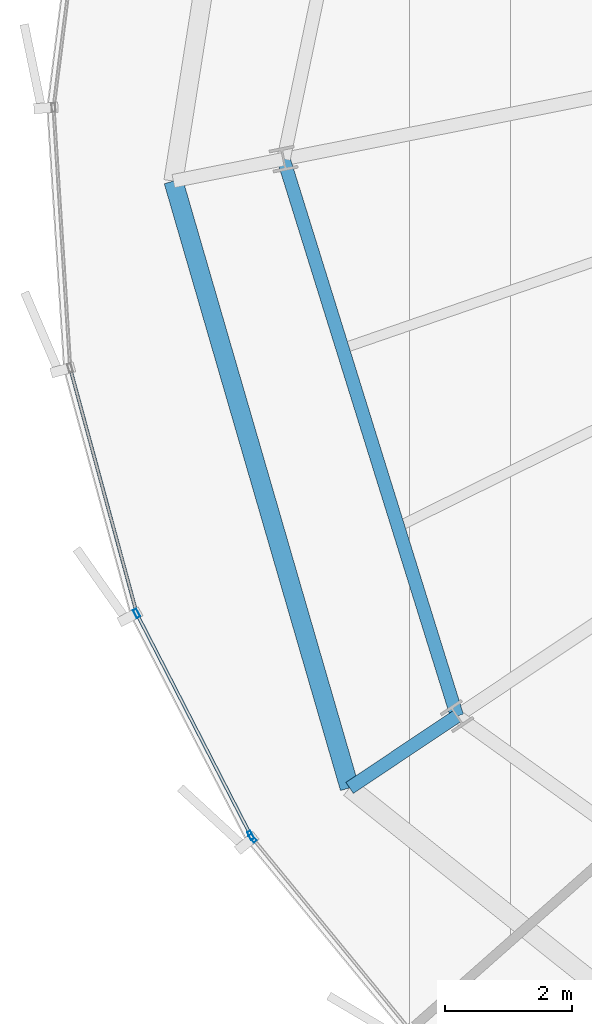
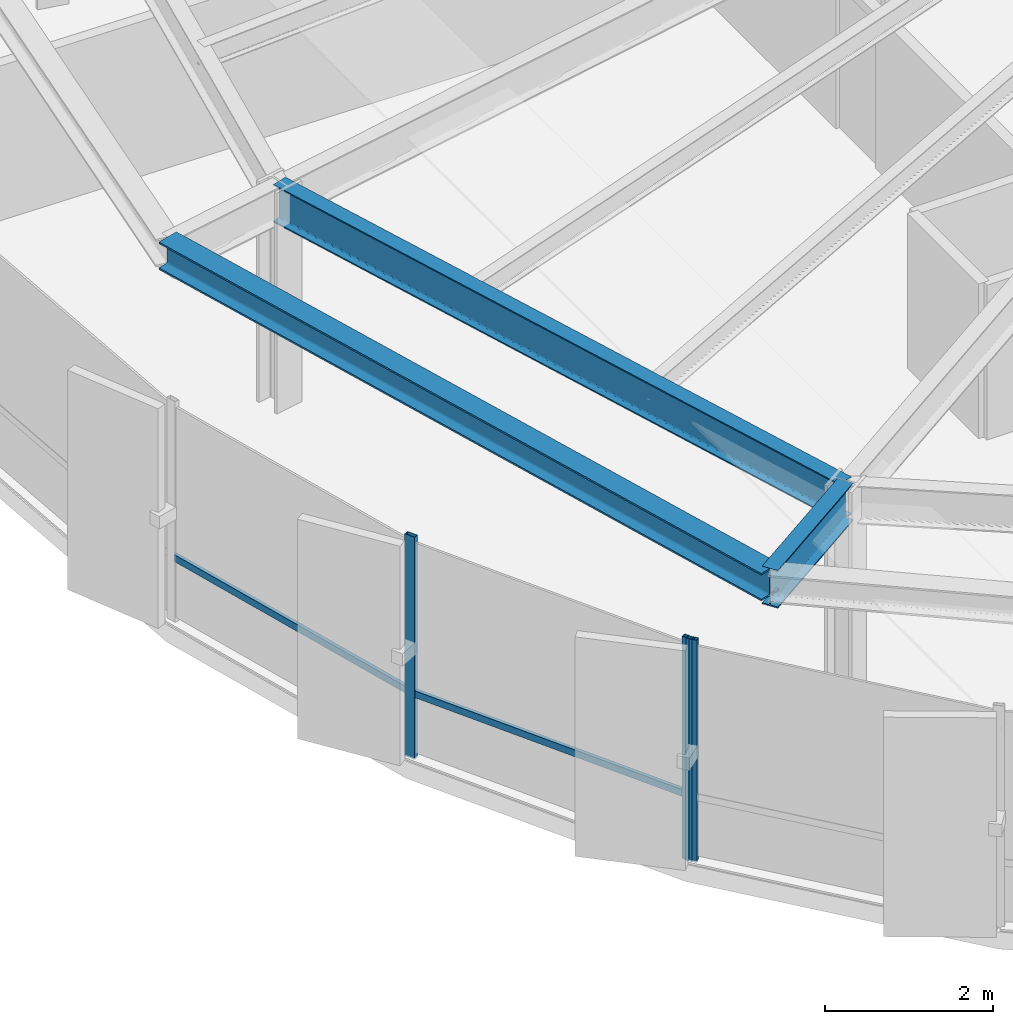
# One storey, part 4 of 35: 5 members, 3 beams, 2 elements without a shape of their own.
"""IFC4 building model written with IfcOpenShell, lengths in metres."""

import ifcopenshell
import ifcopenshell.guid

model = None  # the IFC model being written
_history = None  # IfcOwnerHistory: only IFC2X3 demands one
_inside = {}  # id of a spatial element -> (the spatial element, [elements in it])
_under = {}  # id of a project, library or spatial element -> (it, [spatial elements below it])
_declared = {}  # id of a project -> (the project, [libraries it declares])
_typed = {}  # id of a type object -> (the type object, [elements of that type])
_made_of = {}  # id of a material, layer set ... -> (it, [elements and type objects made of it])


def new_model(schema):
    """Start an empty IFC model of exactly this schema.

    Asked for "IFC4X3", IfcOpenShell would pick the latest addendum, in which some entities
    have other attributes; the version numbers below select the first issue.
    IFC2X3 requires an IfcOwnerHistory on every rooted entity: one is made here for all.
    """
    global model, _history
    if schema == "IFC4X3":
        model = ifcopenshell.file(schema_version=(4, 3, 0, 0))
    else:
        model = ifcopenshell.file(schema=schema)
    _inside.clear()
    _under.clear()
    _declared.clear()
    _typed.clear()
    _made_of.clear()
    _history = None
    if model.schema == "IFC2X3":
        org = make("IfcOrganization", Name="unknown")
        user = make(
            "IfcPersonAndOrganization",
            ThePerson=make("IfcPerson", FamilyName="unknown"),
            TheOrganization=org,
        )
        app = make(
            "IfcApplication",
            ApplicationDeveloper=org,
            Version="unknown",
            ApplicationFullName="unknown",
            ApplicationIdentifier="unknown",
        )
        _history = make(
            "IfcOwnerHistory",
            OwningUser=user,
            OwningApplication=app,
            ChangeAction="ADDED",
            CreationDate=0,
        )
    return model


def make(cls, **values):
    """One entity of the class cls with the attributes given. An attribute that is None is left unset."""
    return model.create_entity(
        cls, **{name: value for name, value in values.items() if value is not None}
    )


def rooted(cls, **values):
    """An entity with a GlobalId (a new one), such as an element, a storey or a relation."""
    return make(cls, GlobalId=ifcopenshell.guid.new(), OwnerHistory=_history, **values)


def si_unit(unit_type, name, prefix=None):
    """IfcSIUnit, for example si_unit("LENGTHUNIT", "METRE", prefix="MILLI")."""
    return make("IfcSIUnit", UnitType=unit_type, Prefix=prefix, Name=name)


def assignment(units):
    """IfcUnitAssignment: the units of a project."""
    return None if units is None else make("IfcUnitAssignment", Units=units)


def point(xyz):
    """IfcCartesianPoint."""
    return None if xyz is None else make("IfcCartesianPoint", Coordinates=xyz)


def direction(xyz):
    """IfcDirection."""
    return None if xyz is None else make("IfcDirection", DirectionRatios=xyz)


def frame(location, z_axis=None, x_axis=None):
    """IfcAxis2Placement3D, a coordinate frame: its origin and axes. An axis left out is left unset."""
    return make(
        "IfcAxis2Placement3D",
        Location=point(location),
        Axis=direction(z_axis),
        RefDirection=direction(x_axis),
    )


def frame_2d(location, x_axis=None):
    """IfcAxis2Placement2D, a coordinate frame in the plane: its origin and x axis."""
    return make(
        "IfcAxis2Placement2D", Location=point(location), RefDirection=direction(x_axis)
    )


def origin():
    """The frame at (0, 0, 0) with its axes left unset."""
    return frame((0.0, 0.0, 0.0))


def origin_2d():
    """The frame at (0, 0) in the plane with its x axis left unset."""
    return frame_2d((0.0, 0.0))


def place(relative_to, where):
    """IfcLocalPlacement: puts the frame where relative to a parent placement (None: the world)."""
    return make(
        "IfcLocalPlacement", PlacementRelTo=relative_to, RelativePlacement=where
    )


def context(
    kind, dimensions, precision=None, world=None, true_north=None, identifier=None
):
    """IfcGeometricRepresentationContext, for example the 3D "Model" context."""
    return make(
        "IfcGeometricRepresentationContext",
        ContextIdentifier=identifier,
        ContextType=kind,
        CoordinateSpaceDimension=dimensions,
        Precision=precision,
        WorldCoordinateSystem=world,
        TrueNorth=true_north,
    )


def subcontext(parent, identifier, kind, view, scale=None):
    """IfcGeometricRepresentationSubContext, for example "Body" below "Model"."""
    return make(
        "IfcGeometricRepresentationSubContext",
        ContextIdentifier=identifier,
        ContextType=kind,
        ParentContext=parent,
        TargetScale=scale,
        TargetView=view,
    )


def project(units=None, contexts=None):
    """IfcProject with its units and contexts."""
    return rooted(
        "IfcProject",
        Name="project",
        RepresentationContexts=contexts,
        UnitsInContext=assignment(units),
    )


def spatial(cls, under=None, at=None, **own):
    """A site, building, storey or space (cls), placed at a placement, below another one or the project."""
    s = rooted(cls, ObjectPlacement=at, **own)
    if under is not None:
        _under.setdefault(under.id(), (under, []))[1].append(s)
    return s


def profile(cls, at=None, kind="AREA", **sizes):
    """A parametric profile (cls). Its sizes go by their IFC names, for example OverallWidth=200.0."""
    return make(cls, ProfileType=kind, Position=at, **sizes)


def hollow_rectangle(**sizes):
    """IfcRectangleHollowProfileDef."""
    return profile("IfcRectangleHollowProfileDef", **sizes)


def i_section(**sizes):
    """IfcIShapeProfileDef."""
    return profile("IfcIShapeProfileDef", **sizes)


def extrude(swept, where, along, depth):
    """IfcExtrudedAreaSolid: the profile swept, set in the frame where, extruded along a direction by depth."""
    return make(
        "IfcExtrudedAreaSolid",
        SweptArea=swept,
        Position=where,
        ExtrudedDirection=direction(along),
        Depth=depth,
    )


def shape(context_of_items, identifier, shape_type, items):
    """IfcShapeRepresentation: the items that make up one representation, for example the "Body"."""
    return make(
        "IfcShapeRepresentation",
        ContextOfItems=context_of_items,
        RepresentationIdentifier=identifier,
        RepresentationType=shape_type,
        Items=items,
    )


def source(mapping_origin, context_of_items, identifier, shape_type, items):
    """IfcRepresentationMap: a shape defined once, which mapped items show again and again."""
    return make(
        "IfcRepresentationMap",
        MappingOrigin=mapping_origin,
        MappedRepresentation=shape(context_of_items, identifier, shape_type, items),
    )


def transform(
    local_origin,
    x_axis=None,
    y_axis=None,
    z_axis=None,
    scale=None,
    scale2=None,
    scale3=None,
    uniform=True,
):
    """IfcCartesianTransformationOperator3D, or its non-uniform kind. x_axis, y_axis, z_axis: its Axis1, 2, 3."""
    if uniform:
        return make(
            "IfcCartesianTransformationOperator3D",
            Axis1=direction(x_axis),
            Axis2=direction(y_axis),
            LocalOrigin=point(local_origin),
            Scale=scale,
            Axis3=direction(z_axis),
        )
    return make(
        "IfcCartesianTransformationOperator3DnonUniform",
        Axis1=direction(x_axis),
        Axis2=direction(y_axis),
        LocalOrigin=point(local_origin),
        Scale=scale,
        Axis3=direction(z_axis),
        Scale2=scale2,
        Scale3=scale3,
    )


def mapped(mapping_source, mapping_target):
    """IfcMappedItem: shows the shape of a source again, moved by a transform."""
    return make(
        "IfcMappedItem", MappingSource=mapping_source, MappingTarget=mapping_target
    )


def material(Name=None, Category=None):
    """IfcMaterial."""
    return make("IfcMaterial", Name=Name, Category=Category)


def layer(
    of_material, thickness, ventilated=None, Name=None, Category=None, Priority=None
):
    """IfcMaterialLayer: one layer of a wall or slab, of a material (None: an air gap)."""
    return make(
        "IfcMaterialLayer",
        Material=of_material,
        LayerThickness=thickness,
        IsVentilated=ventilated,
        Name=Name,
        Category=Category,
        Priority=Priority,
    )


def layer_set(layers, Name=None):
    """IfcMaterialLayerSet."""
    return make("IfcMaterialLayerSet", MaterialLayers=layers, LayerSetName=Name)


def material_profile(
    of_material, cross_section, Name=None, Category=None, Priority=None
):
    """IfcMaterialProfile: a cross section and its material."""
    return make(
        "IfcMaterialProfile",
        Name=Name,
        Material=of_material,
        Profile=cross_section,
        Priority=Priority,
        Category=Category,
    )


def profile_set(profiles, Name=None, composite=None):
    """IfcMaterialProfileSet."""
    return make(
        "IfcMaterialProfileSet",
        Name=Name,
        MaterialProfiles=profiles,
        CompositeProfile=composite,
    )


def made_of(thing, what):
    """Note that an element or type object is made of a material, layer set ...; save() writes the relation."""
    if what is not None:
        _made_of.setdefault(what.id(), (what, []))[1].append(thing)
    return thing


def type_object(cls, material=None, **own):
    """A type object (cls), such as IfcWallType, which elements share."""
    return made_of(rooted(cls, **own), material)


def element(
    cls,
    number,
    at=None,
    inside=None,
    cuts=None,
    type_object=None,
    material=None,
    context=None,
    identifier="Body",
    shape_type=None,
    held_by="IfcProductDefinitionShape",
    body=None,
    shapes=None,
    **own,
):
    """One element of the class cls, such as IfcWall. Its Tag is "e" and its number.

    at: its placement. inside: the storey or other place that contains it. cuts: it is an
    opening in that element (IfcRelVoidsElement). A single representation is given by context,
    identifier, shape_type and body (its items); several are given by shapes. held_by: the class
    of the entity that holds the representations. save() writes the other relations.
    """
    e = rooted(cls, Tag="e%d" % number, ObjectPlacement=at, **own)
    if body is not None:
        shapes = [shape(context, identifier, shape_type, body)]
    if shapes is not None:
        e.Representation = make(held_by, Representations=shapes)
    if inside is not None:
        _inside.setdefault(inside.id(), (inside, []))[1].append(e)
    if cuts is not None:
        rooted(
            "IfcRelVoidsElement", RelatingBuildingElement=cuts, RelatedOpeningElement=e
        )
    if type_object is not None:
        _typed.setdefault(type_object.id(), (type_object, []))[1].append(e)
    return made_of(e, material)


def aggregate(whole, parts):
    """IfcRelAggregates: a whole, such as a stair, and the parts it consists of."""
    return rooted("IfcRelAggregates", RelatingObject=whole, RelatedObjects=parts)


def save(model, path):
    """Write the relations noted so far, then the file.

    IfcRelAggregates (storeys below a building ...), IfcRelContainedInSpatialStructure (elements
    in a storey), IfcRelDefinesByType, IfcRelAssociatesMaterial and IfcRelDeclares: one each for
    every whole, place, type object, material and project.
    """
    for whole, parts in _under.values():
        aggregate(whole, parts)
    for where, things in _inside.values():
        rooted(
            "IfcRelContainedInSpatialStructure",
            RelatedElements=things,
            RelatingStructure=where,
        )
    for kind, things in _typed.values():
        rooted("IfcRelDefinesByType", RelatedObjects=things, RelatingType=kind)
    for what, things in _made_of.values():
        rooted("IfcRelAssociatesMaterial", RelatedObjects=things, RelatingMaterial=what)
    for by, libraries in _declared.values():
        rooted("IfcRelDeclares", RelatingContext=by, RelatedDefinitions=libraries)
    model.write(path)


model = new_model("IFC4")

# Units and contexts
model_context = context("Model", 3, precision=1e-05, world=origin(), true_north=direction((0.0, 1.0)))
body_context = subcontext(model_context, "Body", "Model", "MODEL_VIEW")
ifc_project = project(units=[si_unit("LENGTHUNIT", "METRE"), si_unit("AREAUNIT", "SQUARE_METRE"), si_unit("VOLUMEUNIT", "CUBIC_METRE"), si_unit("PLANEANGLEUNIT", "RADIAN"), si_unit("MASSUNIT", "GRAM", prefix="KILO"), si_unit("THERMODYNAMICTEMPERATUREUNIT", "KELVIN")], contexts=[model_context])

# Site, building, storey
site_placement = place(None, origin())
site = spatial("IfcSite", under=ifc_project, at=site_placement, CompositionType="ELEMENT")
building_placement = place(site_placement, origin())
building = spatial("IfcBuilding", under=site, at=building_placement, Name="Kethvar Cultural Tower", CompositionType="ELEMENT")
storey_placement = place(building_placement, frame((0.0, 0.0, 167.85009765625)))
storey = spatial("IfcBuildingStorey", under=building, at=storey_placement, Name="L43", CompositionType="ELEMENT", Elevation=167.85009765625)

# Beams
ifc_material_1 = material(Name="Steel S355J2", Category="steel")
ifc_material_profile_1 = material_profile(ifc_material_1, i_section(OverallWidth=0.2099609375, OverallDepth=0.550048828125, WebThickness=0.010986328125, FlangeThickness=0.01708984375, FilletRadius=0.02392578125, at=origin_2d()), Name="Steel S355J2 — IPE550")
ifc_profile_set_1 = profile_set([ifc_material_profile_1], Name="Steel S355J2 — IPE550")
beam_type_1 = type_object("IfcBeamType", Name="BM-IPE550", PredefinedType="BEAM", material=ifc_profile_set_1)
shared_shape_1 = source(origin(), body_context, "Body", "SweptSolid", [
    extrude(i_section(OverallWidth=0.2099609375, OverallDepth=0.550048828125, WebThickness=0.010986328125, FlangeThickness=0.01708984375, FilletRadius=0.02392578125, at=origin_2d()), origin(), (0.0, 0.0, 1.0), 9.20068359375),
])
beam_1_placement = place(storey_placement, frame((24.185302734375, 23.3017578125, 2.962890625), z_axis=(0.297298800285, -0.954784490526, 0.0), x_axis=(0.954784490526, 0.297298800285, 0.0)))
element("IfcBeam", 1, at=beam_1_placement, inside=storey, type_object=beam_type_1, Name="L43 Column Ring Tie Beam CR-09", PredefinedType="BEAM", context=body_context, shape_type="MappedRepresentation", body=[
    mapped(shared_shape_1, transform((0.0, 0.0, 0.0), scale=1.0)),
])
shared_shape_2 = source(origin(), body_context, "Body", "SweptSolid", [
    extrude(i_section(OverallWidth=0.2099609375, OverallDepth=0.550048828125, WebThickness=0.010986328125, FlangeThickness=0.01708984375, FilletRadius=0.02392578125, at=origin_2d()), origin(), (0.0, 0.0, 1.0), 2.0380859375),
])
beam_2_placement = place(storey_placement, frame((26.920654296875, 14.51708984375, 2.962890625), z_axis=(-0.831460090349, -0.555584483365, 0.0), x_axis=(0.555584483365, -0.831460090349, 0.0)))
element("IfcBeam", 2, at=beam_2_placement, inside=storey, type_object=beam_type_1, Name="L43 Perimeter Cantilever Beam RC-10", PredefinedType="BEAM", context=body_context, shape_type="MappedRepresentation", body=[
    mapped(shared_shape_2, transform((0.0, 0.0, 0.0), scale=1.0)),
])
ifc_material_profile_2 = material_profile(ifc_material_1, i_section(OverallWidth=0.300048828125, OverallDepth=0.39990234375, WebThickness=0.013427734375, FlangeThickness=0.02392578125, FilletRadius=0.027099609375, at=origin_2d()), Name="Steel S355J2 — HEB400")
ifc_profile_set_2 = profile_set([ifc_material_profile_2], Name="Steel S355J2 — HEB400")
beam_type_2 = type_object("IfcBeamType", Name="BM-SP400", PredefinedType="SPANDREL", material=ifc_profile_set_2)
shared_shape_3 = source(origin(), body_context, "Body", "SweptSolid", [
    extrude(i_section(OverallWidth=0.300048828125, OverallDepth=0.39990234375, WebThickness=0.013427734375, FlangeThickness=0.02392578125, FilletRadius=0.027099609375, at=origin_2d()), origin(), (0.0, 0.0, 1.0), 9.96630859375),
])
beam_3_placement = place(storey_placement, frame((22.447021484375, 22.955810546875, 3.037841796875), z_axis=(0.278843718702, -0.960336493392, 0.0), x_axis=(0.960336493392, 0.278843718702, 0.0)))
element("IfcBeam", 3, at=beam_3_placement, inside=storey, type_object=beam_type_2, Name="L43 Perimeter Spandrel Beam SP-09", PredefinedType="SPANDREL", context=body_context, shape_type="MappedRepresentation", body=[
    mapped(shared_shape_3, transform((0.0, 0.0, 0.0), scale=1.0)),
])

# Curtain wall, members
ifc_material_2 = material(Name="Aluminium 6063-T6", Category="aluminium")
ifc_layer = layer(ifc_material_2, 0.179931640625, Name="Aluminium 6063-T6", Category="aluminium")
ifc_layer_set = layer_set([ifc_layer], Name="Aluminium 6063-T6 (180 mm)")
curtain_wall_type = type_object("IfcCurtainWallType", Name="CW-SYS-04-Z34", PredefinedType="NOTDEFINED", material=ifc_layer_set)
curtain_wall_1_placement = place(storey_placement, origin())
curtain_wall_1 = element("IfcCurtainWall", 4, at=curtain_wall_1_placement, inside=storey, type_object=curtain_wall_type, Name="L43 Curtain Wall Run 03", PredefinedType="NOTDEFINED")
ifc_material_profile_3 = material_profile(ifc_material_2, hollow_rectangle(XDim=0.06005859375, YDim=0.139892578125, WallThickness=0.0048828125, at=origin_2d()), Name="Aluminium 6063-T6 — RHS140x60x5")
ifc_profile_set_3 = profile_set([ifc_material_profile_3], Name="Aluminium 6063-T6 — RHS140x60x5")
member_type_1 = type_object("IfcMemberType", Name="CW-SYS-04-Z34-MUL", PredefinedType="MULLION", material=ifc_profile_set_3)
shared_shape_4 = source(origin(), body_context, "Body", "SweptSolid", [
    extrude(hollow_rectangle(XDim=0.06005859375, YDim=0.139892578125, WallThickness=0.0048828125, at=origin_2d()), origin(), (0.0, 0.0, 1.0), 3.239990234375),
])
member_1_placement = place(storey_placement, frame((21.86669921875, 16.13818359375, 0.0), z_axis=(0.0, 0.0, 1.0), x_axis=(0.889352541711, 0.457222108556, 0.0)))
member_1 = element("IfcMember", 5, at=member_1_placement, type_object=member_type_1, Name="CW-L43-R03 Mullion 6", PredefinedType="MULLION", context=body_context, shape_type="MappedRepresentation", body=[
    mapped(shared_shape_4, transform((0.0, 0.0, 0.0), scale=1.0)),
])
member_2_placement = place(storey_placement, frame((23.6669921875, 12.636962890625, 0.0), z_axis=(0.0, 0.0, 1.0), x_axis=(0.889352541711, 0.457222108556, 0.0)))
member_2 = element("IfcMember", 6, at=member_2_placement, type_object=member_type_1, Name="CW-L43-R03 Mullion 7", PredefinedType="MULLION", context=body_context, shape_type="MappedRepresentation", body=[
    mapped(shared_shape_4, transform((0.0, 0.0, 0.0), scale=1.0)),
])

# Curtain wall, member
curtain_wall_2_placement = place(storey_placement, origin())
curtain_wall_2 = element("IfcCurtainWall", 7, at=curtain_wall_2_placement, inside=storey, type_object=curtain_wall_type, Name="L43 Curtain Wall Run 04", PredefinedType="NOTDEFINED")
member_3_placement = place(storey_placement, frame((23.69677734375, 12.591552734375, 0.0), z_axis=(0.0, 0.0, 1.0), x_axis=(0.772822191063, 0.634622613055, 0.0)))
member_3 = element("IfcMember", 8, at=member_3_placement, type_object=member_type_1, Name="CW-L43-R04 Mullion 1", PredefinedType="MULLION", context=body_context, shape_type="MappedRepresentation", body=[
    mapped(shared_shape_4, transform((0.0, 0.0, 0.0), scale=1.0)),
])
aggregate(curtain_wall_2, [member_3])

# Member
ifc_material_profile_4 = material_profile(ifc_material_2, hollow_rectangle(XDim=0.050048828125, YDim=0.10009765625, WallThickness=0.00390625, at=origin_2d()), Name="Aluminium 6063-T6 — RHS100x50x4")
ifc_profile_set_4 = profile_set([ifc_material_profile_4], Name="Aluminium 6063-T6 — RHS100x50x4")
member_type_2 = type_object("IfcMemberType", Name="CW-SYS-04-Z34-TRN", PredefinedType="USERDEFINED", material=ifc_profile_set_4)
shared_shape_5 = source(origin(), body_context, "Body", "SweptSolid", [
    extrude(hollow_rectangle(XDim=0.050048828125, YDim=0.10009765625, WallThickness=0.00390625, at=origin_2d()), origin(), (0.0, 0.0, 1.0), 3.946533203125),
])
member_4_placement = place(storey_placement, frame((20.8291015625, 19.967041015625, 0.949951171875), z_axis=(0.262164626443, -0.965023164821, 0.0), x_axis=(0.965023164821, 0.262164626443, 0.0)))
member_4 = element("IfcMember", 9, at=member_4_placement, type_object=member_type_2, Name="CW-L43-R03 Transom 5", ObjectType="TRANSOM", PredefinedType="USERDEFINED", context=body_context, shape_type="MappedRepresentation", body=[
    mapped(shared_shape_5, transform((0.0, 0.0, 0.0), scale=1.0)),
])

shared_shape_6 = source(origin(), body_context, "Body", "SweptSolid", [
    extrude(hollow_rectangle(XDim=0.050048828125, YDim=0.10009765625, WallThickness=0.00390625, at=origin_2d()), origin(), (0.0, 0.0, 1.0), 3.8896484375),
])
member_5_placement = place(storey_placement, frame((21.88671875, 16.099853515625, 0.949951171875), z_axis=(0.457203343972, -0.889362188459, 0.0), x_axis=(0.889362188459, 0.457203343972, 0.0)))
member_5 = element("IfcMember", 10, at=member_5_placement, type_object=member_type_2, Name="CW-L43-R03 Transom 6", ObjectType="TRANSOM", PredefinedType="USERDEFINED", context=body_context, shape_type="MappedRepresentation", body=[
    mapped(shared_shape_6, transform((0.0, 0.0, 0.0), scale=1.0)),
])

aggregate(curtain_wall_1, [member_1, member_2, member_4, member_5])

save(model, "model.ifc")
